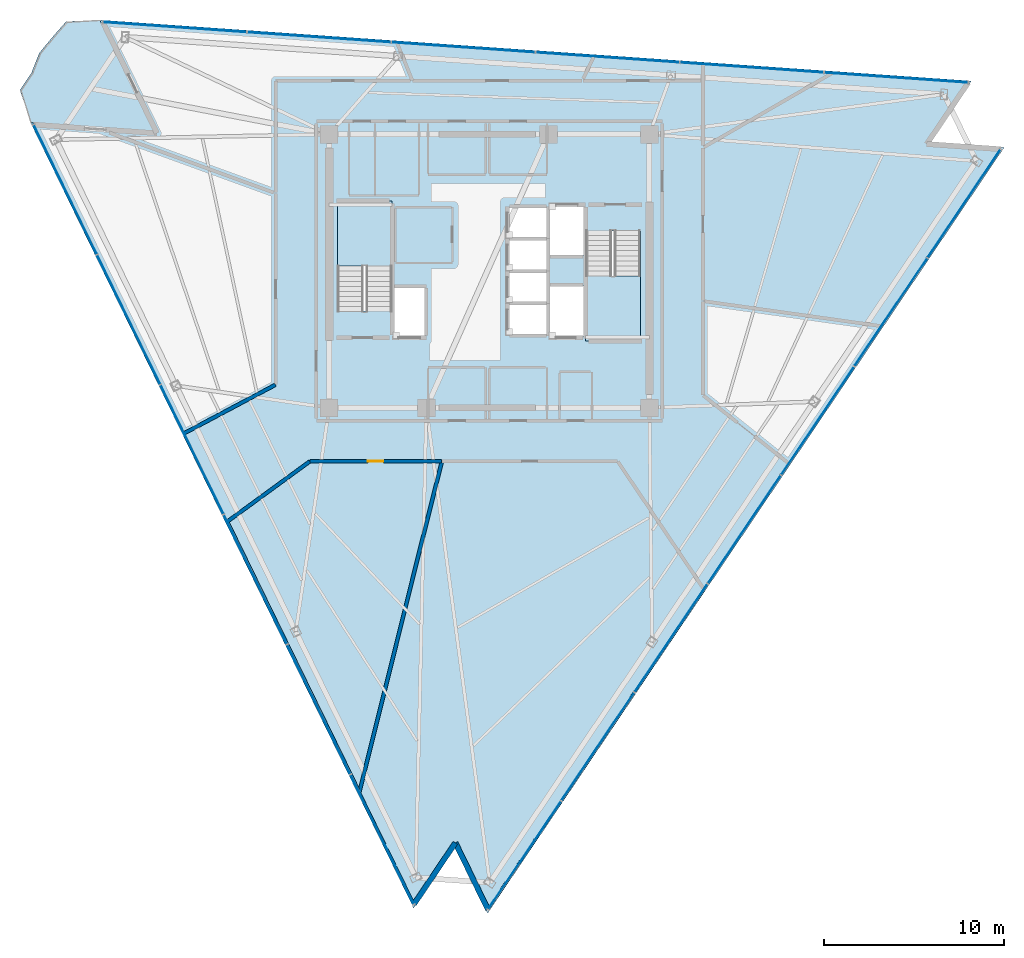
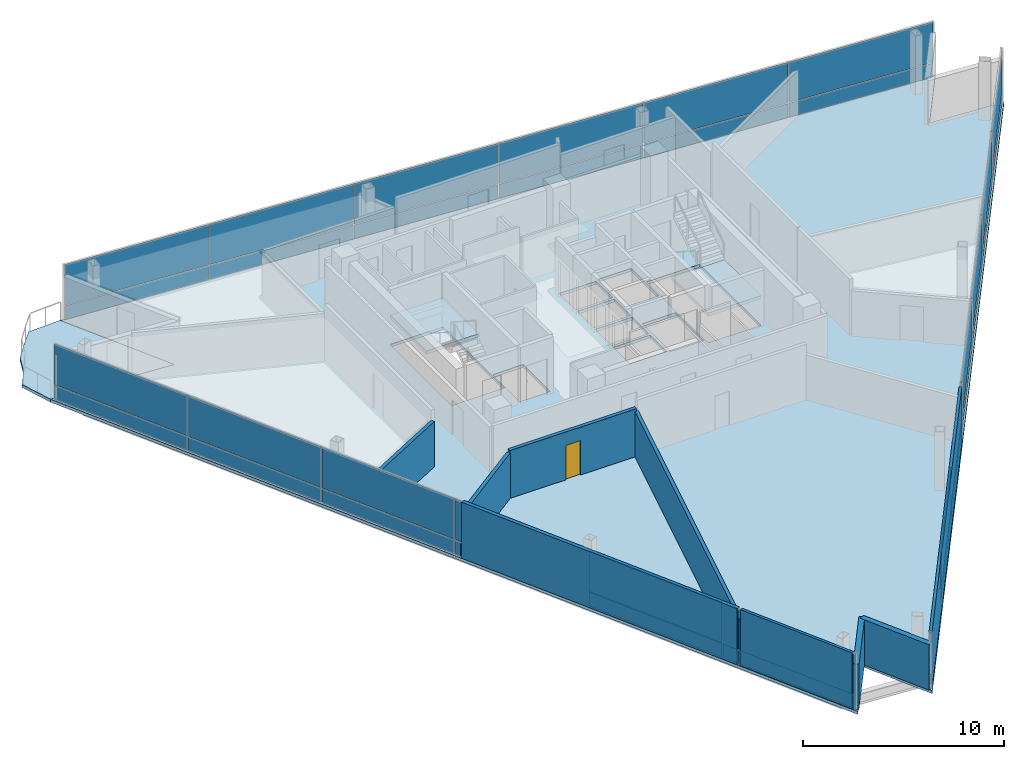
# One storey, part 8 of 13: 38 plates, 9 walls, 4 slabs, 1 door, 1 opening, 5 elements without a shape of their own.
"""IFC4 building model written with IfcOpenShell, lengths in metres."""

from ifc_helpers import new_model, si_unit, direction, frame, frame_2d, origin, origin_2d, place, context, subcontext, project, spatial, polyline, rectangle, outline, extrude, material, layer, layer_set, type_object, element, fill, aggregate, save


model = new_model("IFC4")

# Units and contexts
model_context = context("Model", 3, precision=1e-05, world=origin(), true_north=direction((0.0, 1.0)))
body_context = subcontext(model_context, "Body", "Model", "MODEL_VIEW")
ifc_project = project(units=[si_unit("LENGTHUNIT", "METRE"), si_unit("AREAUNIT", "SQUARE_METRE"), si_unit("VOLUMEUNIT", "CUBIC_METRE"), si_unit("PLANEANGLEUNIT", "RADIAN"), si_unit("MASSUNIT", "GRAM", prefix="KILO")], contexts=[model_context])

# Site, building, storey
site_placement = place(None, origin())
site = spatial("IfcSite", under=ifc_project, at=site_placement, CompositionType="ELEMENT")
building_placement = place(site_placement, origin())
building = spatial("IfcBuilding", under=site, at=building_placement, Name="Tharavind Bronze Gate", CompositionType="ELEMENT")
storey_placement = place(building_placement, frame((0.0, 0.0, 234.25)))
storey = spatial("IfcBuildingStorey", under=building, at=storey_placement, Name="L60", CompositionType="ELEMENT", Elevation=234.25)

# Curtain wall, plates
ifc_material_1 = material(Name="Anodised Bronze Aluminium", Category="aluminium")
ifc_layer_1 = layer(ifc_material_1, 0.219970703125)
ifc_layer_set_1 = layer_set([ifc_layer_1], Name="Anodised Bronze Aluminium")
curtain_wall_type = type_object("IfcCurtainWallType", Name="UNITISED CURTAIN WALL UPPER OFFICE", PredefinedType="USERDEFINED", material=ifc_layer_set_1)
curtain_wall_1_placement = place(storey_placement, origin())
curtain_wall_1 = element("IfcCurtainWall", 1, at=curtain_wall_1_placement, inside=storey, type_object=curtain_wall_type, Name="L60 unitised curtain wall upper office CW-L60-S1", ObjectType="UNITISED CURTAIN WALL", PredefinedType="USERDEFINED")
ifc_material_2 = material(Name="Patinated Bronze Alloy Sheet", Category="bronze")
ifc_layer_2 = layer(ifc_material_2, 0.01611328125)
ifc_layer_set_2 = layer_set([ifc_layer_2], Name="Patinated Bronze Alloy Sheet")
plate_type_1 = type_object("IfcPlateType", Name="BRONZE SPANDREL CLADDING PANEL 16", PredefinedType="CURTAIN_PANEL", material=ifc_layer_set_2)
plate_1_placement = place(storey_placement, frame((-23.5751953125, 4.5283203125, 0.0263671875), z_axis=(0.0, 0.0, 1.0), x_axis=(0.438371146789, -0.898794046299, 0.0)))
plate_1 = element("IfcPlate", 2, at=plate_1_placement, type_object=plate_type_1, Name="CW-L60-S1 bronze spandrel panel 1", PredefinedType="CURTAIN_PANEL", context=body_context, shape_type="SweptSolid", body=[
    extrude(rectangle(XDim=7.985107421875, YDim=0.01611328125, at=origin_2d()), origin(), (0.0, 0.0, 1.0), 0.846923828125),
])
plate_2_placement = place(storey_placement, frame((-20.051513671875, -2.696044921875, 0.0263671875), z_axis=(0.0, 0.0, 1.0), x_axis=(0.438371146789, -0.898794046299, 0.0)))
plate_2 = element("IfcPlate", 3, at=plate_2_placement, type_object=plate_type_1, Name="CW-L60-S1 bronze spandrel panel 2", PredefinedType="CURTAIN_PANEL", context=body_context, shape_type="SweptSolid", body=[
    extrude(rectangle(XDim=7.985107421875, YDim=0.01611328125, at=origin_2d()), origin(), (0.0, 0.0, 1.0), 0.846923828125),
])
plate_3_placement = place(storey_placement, frame((-16.528076171875, -9.920654296875, 0.0263671875), z_axis=(0.0, 0.0, 1.0), x_axis=(0.438371146789, -0.898794046299, 0.0)))
plate_3 = element("IfcPlate", 4, at=plate_3_placement, type_object=plate_type_1, Name="CW-L60-S1 bronze spandrel panel 3", PredefinedType="CURTAIN_PANEL", context=body_context, shape_type="SweptSolid", body=[
    extrude(rectangle(XDim=7.985107421875, YDim=0.01611328125, at=origin_2d()), origin(), (0.0, 0.0, 1.0), 0.846923828125),
])
plate_4_placement = place(storey_placement, frame((-13.00439453125, -17.145263671875, 0.0263671875), z_axis=(0.0, 0.0, 1.0), x_axis=(0.438371146789, -0.898794046299, 0.0)))
plate_4 = element("IfcPlate", 5, at=plate_4_placement, type_object=plate_type_1, Name="CW-L60-S1 bronze spandrel panel 4", PredefinedType="CURTAIN_PANEL", context=body_context, shape_type="SweptSolid", body=[
    extrude(rectangle(XDim=7.985107421875, YDim=0.01611328125, at=origin_2d()), origin(), (0.0, 0.0, 1.0), 0.846923828125),
])
plate_5_placement = place(storey_placement, frame((-9.480712890625, -24.36962890625, 0.0263671875), z_axis=(0.0, 0.0, 1.0), x_axis=(0.438371146789, -0.898794046299, 0.0)))
plate_5 = element("IfcPlate", 6, at=plate_5_placement, type_object=plate_type_1, Name="CW-L60-S1 bronze spandrel panel 5", PredefinedType="CURTAIN_PANEL", context=body_context, shape_type="SweptSolid", body=[
    extrude(rectangle(XDim=7.985107421875, YDim=0.01611328125, at=origin_2d()), origin(), (0.0, 0.0, 1.0), 0.846923828125),
])
plate_6_placement = place(storey_placement, frame((-5.95703125, -31.59423828125, 0.0263671875), z_axis=(0.0, 0.0, 1.0), x_axis=(0.438371146789, -0.898794046299, 0.0)))
plate_6 = element("IfcPlate", 7, at=plate_6_placement, type_object=plate_type_1, Name="CW-L60-S1 bronze spandrel panel 6", PredefinedType="CURTAIN_PANEL", context=body_context, shape_type="SweptSolid", body=[
    extrude(rectangle(XDim=7.985107421875, YDim=0.01611328125, at=origin_2d()), origin(), (0.0, 0.0, 1.0), 0.846923828125),
])

curtain_wall_2_placement = place(storey_placement, origin())
curtain_wall_2 = element("IfcCurtainWall", 8, at=curtain_wall_2_placement, inside=storey, type_object=curtain_wall_type, Name="L60 unitised curtain wall upper office CW-L60-S2", ObjectType="UNITISED CURTAIN WALL", PredefinedType="USERDEFINED")
plate_7_placement = place(storey_placement, frame((1.958984375, -32.4755859375, 0.0263671875), z_axis=(0.0, 0.0, 1.0), x_axis=(0.559192903471, 0.829037572555, 0.0)))
plate_7 = element("IfcPlate", 9, at=plate_7_placement, type_object=plate_type_1, Name="CW-L60-S2 bronze spandrel panel 1", PredefinedType="CURTAIN_PANEL", context=body_context, shape_type="SweptSolid", body=[
    extrude(rectangle(XDim=7.22998046875, YDim=0.01611328125, at=origin_2d()), origin(), (0.0, 0.0, 1.0), 0.846923828125),
])
plate_8_placement = place(storey_placement, frame((6.031494140625, -26.437744140625, 0.0263671875), z_axis=(0.0, 0.0, 1.0), x_axis=(0.559192903471, 0.829037572555, 0.0)))
plate_8 = element("IfcPlate", 10, at=plate_8_placement, type_object=plate_type_1, Name="CW-L60-S2 bronze spandrel panel 2", PredefinedType="CURTAIN_PANEL", context=body_context, shape_type="SweptSolid", body=[
    extrude(rectangle(XDim=7.22998046875, YDim=0.01611328125, at=origin_2d()), origin(), (0.0, 0.0, 1.0), 0.846923828125),
])
plate_9_placement = place(storey_placement, frame((10.10400390625, -20.39990234375, 0.0263671875), z_axis=(0.0, 0.0, 1.0), x_axis=(0.559192903471, 0.829037572555, 0.0)))
plate_9 = element("IfcPlate", 11, at=plate_9_placement, type_object=plate_type_1, Name="CW-L60-S2 bronze spandrel panel 3", PredefinedType="CURTAIN_PANEL", context=body_context, shape_type="SweptSolid", body=[
    extrude(rectangle(XDim=7.22998046875, YDim=0.01611328125, at=origin_2d()), origin(), (0.0, 0.0, 1.0), 0.846923828125),
])
plate_10_placement = place(storey_placement, frame((14.176513671875, -14.3623046875, 0.0263671875), z_axis=(0.0, 0.0, 1.0), x_axis=(0.559192903471, 0.829037572555, 0.0)))
plate_10 = element("IfcPlate", 12, at=plate_10_placement, type_object=plate_type_1, Name="CW-L60-S2 bronze spandrel panel 4", PredefinedType="CURTAIN_PANEL", context=body_context, shape_type="SweptSolid", body=[
    extrude(rectangle(XDim=7.22998046875, YDim=0.01611328125, at=origin_2d()), origin(), (0.0, 0.0, 1.0), 0.846923828125),
])
plate_11_placement = place(storey_placement, frame((18.2490234375, -8.324462890625, 0.0263671875), z_axis=(0.0, 0.0, 1.0), x_axis=(0.559192903471, 0.829037572555, 0.0)))
plate_11 = element("IfcPlate", 13, at=plate_11_placement, type_object=plate_type_1, Name="CW-L60-S2 bronze spandrel panel 5", PredefinedType="CURTAIN_PANEL", context=body_context, shape_type="SweptSolid", body=[
    extrude(rectangle(XDim=7.22998046875, YDim=0.01611328125, at=origin_2d()), origin(), (0.0, 0.0, 1.0), 0.846923828125),
])
plate_12_placement = place(storey_placement, frame((22.321533203125, -2.28662109375, 0.0263671875), z_axis=(0.0, 0.0, 1.0), x_axis=(0.559192903471, 0.829037572555, 0.0)))
plate_12 = element("IfcPlate", 14, at=plate_12_placement, type_object=plate_type_1, Name="CW-L60-S2 bronze spandrel panel 6", PredefinedType="CURTAIN_PANEL", context=body_context, shape_type="SweptSolid", body=[
    extrude(rectangle(XDim=7.22998046875, YDim=0.01611328125, at=origin_2d()), origin(), (0.0, 0.0, 1.0), 0.846923828125),
])
plate_13_placement = place(storey_placement, frame((26.39404296875, 3.751220703125, 0.0263671875), z_axis=(0.0, 0.0, 1.0), x_axis=(0.559192903471, 0.829037572555, 0.0)))
plate_13 = element("IfcPlate", 15, at=plate_13_placement, type_object=plate_type_1, Name="CW-L60-S2 bronze spandrel panel 7", PredefinedType="CURTAIN_PANEL", context=body_context, shape_type="SweptSolid", body=[
    extrude(rectangle(XDim=7.22998046875, YDim=0.01611328125, at=origin_2d()), origin(), (0.0, 0.0, 1.0), 0.846923828125),
])

curtain_wall_3_placement = place(storey_placement, origin())
curtain_wall_3 = element("IfcCurtainWall", 16, at=curtain_wall_3_placement, inside=storey, type_object=curtain_wall_type, Name="L60 unitised curtain wall upper office CW-L60-S3", ObjectType="UNITISED CURTAIN WALL", PredefinedType="USERDEFINED")
plate_14_placement = place(storey_placement, frame((22.611572265625, 10.760498046875, 0.0263671875), z_axis=(0.0, 0.0, 1.0), x_axis=(-0.99756392851, 0.069758214822, 0.0)))
plate_14 = element("IfcPlate", 17, at=plate_14_placement, type_object=plate_type_1, Name="CW-L60-S3 bronze spandrel panel 1", PredefinedType="CURTAIN_PANEL", context=body_context, shape_type="SweptSolid", body=[
    extrude(rectangle(XDim=7.985107421875, YDim=0.01611328125, at=origin_2d()), origin(), (0.0, 0.0, 1.0), 0.846923828125),
])
plate_15_placement = place(storey_placement, frame((14.593017578125, 11.3212890625, 0.0263671875), z_axis=(0.0, 0.0, 1.0), x_axis=(-0.99756392851, 0.069758214822, 0.0)))
plate_15 = element("IfcPlate", 18, at=plate_15_placement, type_object=plate_type_1, Name="CW-L60-S3 bronze spandrel panel 2", PredefinedType="CURTAIN_PANEL", context=body_context, shape_type="SweptSolid", body=[
    extrude(rectangle(XDim=7.985107421875, YDim=0.01611328125, at=origin_2d()), origin(), (0.0, 0.0, 1.0), 0.846923828125),
])
plate_16_placement = place(storey_placement, frame((6.57470703125, 11.882080078125, 0.0263671875), z_axis=(0.0, 0.0, 1.0), x_axis=(-0.99756392851, 0.069758214822, 0.0)))
plate_16 = element("IfcPlate", 19, at=plate_16_placement, type_object=plate_type_1, Name="CW-L60-S3 bronze spandrel panel 3", PredefinedType="CURTAIN_PANEL", context=body_context, shape_type="SweptSolid", body=[
    extrude(rectangle(XDim=7.985107421875, YDim=0.01611328125, at=origin_2d()), origin(), (0.0, 0.0, 1.0), 0.846923828125),
])
plate_17_placement = place(storey_placement, frame((-1.44384765625, 12.442626953125, 0.0263671875), z_axis=(0.0, 0.0, 1.0), x_axis=(-0.99756392851, 0.069758214822, 0.0)))
plate_17 = element("IfcPlate", 20, at=plate_17_placement, type_object=plate_type_1, Name="CW-L60-S3 bronze spandrel panel 4", PredefinedType="CURTAIN_PANEL", context=body_context, shape_type="SweptSolid", body=[
    extrude(rectangle(XDim=7.985107421875, YDim=0.01611328125, at=origin_2d()), origin(), (0.0, 0.0, 1.0), 0.846923828125),
])
plate_18_placement = place(storey_placement, frame((-9.462158203125, 13.00341796875, 0.0263671875), z_axis=(0.0, 0.0, 1.0), x_axis=(-0.99756392851, 0.069758214822, 0.0)))
plate_18 = element("IfcPlate", 21, at=plate_18_placement, type_object=plate_type_1, Name="CW-L60-S3 bronze spandrel panel 5", PredefinedType="CURTAIN_PANEL", context=body_context, shape_type="SweptSolid", body=[
    extrude(rectangle(XDim=7.985107421875, YDim=0.01611328125, at=origin_2d()), origin(), (0.0, 0.0, 1.0), 0.846923828125),
])
plate_19_placement = place(storey_placement, frame((-17.480712890625, 13.564208984375, 0.0263671875), z_axis=(0.0, 0.0, 1.0), x_axis=(-0.99756392851, 0.069758214822, 0.0)))
plate_19 = element("IfcPlate", 22, at=plate_19_placement, type_object=plate_type_1, Name="CW-L60-S3 bronze spandrel panel 6", PredefinedType="CURTAIN_PANEL", context=body_context, shape_type="SweptSolid", body=[
    extrude(rectangle(XDim=7.985107421875, YDim=0.01611328125, at=origin_2d()), origin(), (0.0, 0.0, 1.0), 0.846923828125),
])

# Slab
ifc_material_3 = material(Name="Concrete C40/50", Category="concrete")
ifc_layer_3 = layer(ifc_material_3, 0.179931640625)
ifc_layer_set_3 = layer_set([ifc_layer_3], Name="Concrete C40/50")
slab_type_1 = type_object("IfcSlabType", Name="EXTERIOR BALCONY SLAB 180", PredefinedType="FLOOR", material=ifc_layer_set_3)
slab_1_placement = place(storey_placement, frame((0.0, 0.0, -0.179931640625)))
element("IfcSlab", 23, at=slab_1_placement, inside=storey, type_object=slab_type_1, Name="L60 northeast tree balcony slab", PredefinedType="FLOOR", context=body_context, shape_type="SweptSolid", body=[
    extrude(outline(polyline([(-23.523193359375, 13.869873046875), (-24.287109375, 13.001953125), (-25.021484375, 12.114013671875), (-25.447021484375, 11.01806640625), (-26.088134765625, 10.0673828125), (-25.5029296875, 8.25244140625), (-18.6396484375, 7.772705078125), (-21.65576171875, 13.956298828125), (-23.523193359375, 13.869873046875)])), origin(), (0.0, 0.0, 1.0), 0.179931640625),
])

# Stair, slab
stair_type = type_object("IfcStairType", Name="CORE HALF TURN STAIR 1450", PredefinedType="HALF_TURN_STAIR", material=ifc_material_3)
stair_1_placement = place(storey_placement, origin())
stair_1 = element("IfcStair", 24, at=stair_1_placement, inside=storey, type_object=stair_type, Name="L60 Protected Exit Stair ST1", PredefinedType="HALF_TURN_STAIR")
ifc_layer_4 = layer(ifc_material_3, 0.199951171875)
ifc_layer_set_4 = layer_set([ifc_layer_4], Name="Concrete C40/50")
slab_type_2 = type_object("IfcSlabType", Name="STAIR LANDING SLAB 200", PredefinedType="LANDING", material=ifc_layer_set_4)
slab_2_placement = place(storey_placement, frame((0.0, 0.0, 1.60009765625)))
slab_2 = element("IfcSlab", 25, at=slab_2_placement, type_object=slab_type_2, Name="ST1 landing 1", PredefinedType="LANDING", context=body_context, shape_type="SweptSolid", body=[
    extrude(outline(polyline([(-5.39990234375, 0.27001953125), (-5.39990234375, 3.89990234375), (-8.449951171875, 3.89990234375), (-8.449951171875, 0.27001953125), (-5.39990234375, 0.27001953125)])), origin(), (0.0, 0.0, 1.0), 0.199951171875),
])
aggregate(stair_1, [slab_2])

stair_2_placement = place(storey_placement, origin())
stair_2 = element("IfcStair", 26, at=stair_2_placement, inside=storey, type_object=stair_type, Name="L60 Protected Exit Stair ST2", PredefinedType="HALF_TURN_STAIR")
slab_3_placement = place(storey_placement, frame((0.0, 0.0, 1.60009765625)))
slab_3 = element("IfcSlab", 27, at=slab_3_placement, type_object=slab_type_2, Name="ST2 landing 1", PredefinedType="LANDING", context=body_context, shape_type="SweptSolid", body=[
    extrude(outline(polyline([(5.35009765625, -0.27001953125), (5.35009765625, -3.89990234375), (8.39990234375, -3.89990234375), (8.39990234375, -0.27001953125), (5.35009765625, -0.27001953125)])), origin(), (0.0, 0.0, 1.0), 0.199951171875),
])
aggregate(stair_2, [slab_3])

# Slab
ifc_layer_5 = layer(ifc_material_3, 0.179931640625)
ifc_layer_set_5 = layer_set([ifc_layer_5], Name="Concrete C40/50")
slab_type_3 = type_object("IfcSlabType", Name="STRUCTURAL FLOOR SLAB 180", PredefinedType="FLOOR", material=ifc_layer_set_5)
slab_4_placement = place(storey_placement, frame((0.0, 0.0, -0.179931640625)))
element("IfcSlab", 28, at=slab_4_placement, inside=storey, type_object=slab_type_3, Name="L60 main structural floor slab", PredefinedType="FLOOR", context=body_context, shape_type="SweptSolid", body=[
    extrude(outline(polyline([(-21.65576171875, 13.956298828125), (-18.6396484375, 7.772705078125), (-25.5029296875, 8.25244140625), (-4.209228515625, -35.406005859375), (-1.90087890625, -31.983642578125), (-0.09130859375, -35.69384765625), (28.610107421875, 6.857666015625), (24.4921875, 7.145751953125), (26.800537109375, 10.56787109375), (-21.65576171875, 13.956298828125)]), holes=[polyline([(-5.39990234375, -2.215087890625), (-5.39990234375, 3.89990234375), (-8.449951171875, 3.89990234375), (-8.449951171875, -2.215087890625), (-5.39990234375, -2.215087890625)]), polyline([(5.35009765625, 2.215087890625), (5.35009765625, -3.89990234375), (8.39990234375, -3.89990234375), (8.39990234375, 2.215087890625), (5.35009765625, 2.215087890625)]), polyline([(1.080078125, -3.52001953125), (3.199951171875, -3.52001953125), (3.199951171875, -1.8798828125), (1.080078125, -1.8798828125), (1.080078125, -3.52001953125)]), polyline([(1.080078125, -1.719970703125), (3.199951171875, -1.719970703125), (3.199951171875, -0.080078125), (1.080078125, -0.080078125), (1.080078125, -1.719970703125)]), polyline([(1.080078125, 0.080078125), (3.199951171875, 0.080078125), (3.199951171875, 1.719970703125), (1.080078125, 1.719970703125), (1.080078125, 0.080078125)]), polyline([(1.080078125, 1.8798828125), (3.199951171875, 1.8798828125), (3.199951171875, 3.52001953125), (1.080078125, 3.52001953125), (1.080078125, 1.8798828125)]), polyline([(-5.320068359375, -3.6201171875), (-3.580078125, -3.6201171875), (-3.580078125, -0.929931640625), (-5.320068359375, -0.929931640625), (-5.320068359375, -3.6201171875)]), polyline([(3.360107421875, 0.8798828125), (5.27001953125, 0.8798828125), (5.27001953125, 3.6201171875), (3.360107421875, 3.6201171875), (3.360107421875, 0.8798828125)]), polyline([(3.360107421875, -3.6201171875), (5.27001953125, -3.6201171875), (5.27001953125, -0.830078125), (3.360107421875, -0.830078125), (3.360107421875, -3.6201171875)])]), origin(), (0.0, 0.0, 1.0), 0.179931640625),
])

# Plate
ifc_material_4 = material(Name="Triple Solar Control Glazing", Category="glass")
ifc_layer_6 = layer(ifc_material_4, 0.0439453125)
ifc_layer_set_6 = layer_set([ifc_layer_6], Name="Triple Solar Control Glazing")
plate_type_2 = type_object("IfcPlateType", Name="TRIPLE GLAZED FACADE PANEL 44", PredefinedType="CURTAIN_PANEL", material=ifc_layer_set_6)
plate_20_placement = place(storey_placement, frame((-23.5751953125, 4.5283203125, 0.92626953125), z_axis=(0.0, 0.0, 1.0), x_axis=(0.438371146789, -0.898794046299, 0.0)))
plate_20 = element("IfcPlate", 29, at=plate_20_placement, type_object=plate_type_2, Name="CW-L60-S1 vision glazing panel 1", PredefinedType="CURTAIN_PANEL", context=body_context, shape_type="SweptSolid", body=[
    extrude(rectangle(XDim=7.985107421875, YDim=0.0439453125, at=origin_2d()), origin(), (0.0, 0.0, 1.0), 2.467041015625),
])

plate_21_placement = place(storey_placement, frame((-20.051513671875, -2.696044921875, 0.92626953125), z_axis=(0.0, 0.0, 1.0), x_axis=(0.438371146789, -0.898794046299, 0.0)))
plate_21 = element("IfcPlate", 30, at=plate_21_placement, type_object=plate_type_2, Name="CW-L60-S1 vision glazing panel 2", PredefinedType="CURTAIN_PANEL", context=body_context, shape_type="SweptSolid", body=[
    extrude(rectangle(XDim=7.985107421875, YDim=0.0439453125, at=origin_2d()), origin(), (0.0, 0.0, 1.0), 2.467041015625),
])

plate_22_placement = place(storey_placement, frame((-16.528076171875, -9.920654296875, 0.92626953125), z_axis=(0.0, 0.0, 1.0), x_axis=(0.438371146789, -0.898794046299, 0.0)))
plate_22 = element("IfcPlate", 31, at=plate_22_placement, type_object=plate_type_2, Name="CW-L60-S1 vision glazing panel 3", PredefinedType="CURTAIN_PANEL", context=body_context, shape_type="SweptSolid", body=[
    extrude(rectangle(XDim=7.985107421875, YDim=0.0439453125, at=origin_2d()), origin(), (0.0, 0.0, 1.0), 2.467041015625),
])

plate_23_placement = place(storey_placement, frame((-13.00439453125, -17.145263671875, 0.92626953125), z_axis=(0.0, 0.0, 1.0), x_axis=(0.438371146789, -0.898794046299, 0.0)))
plate_23 = element("IfcPlate", 32, at=plate_23_placement, type_object=plate_type_2, Name="CW-L60-S1 vision glazing panel 4", PredefinedType="CURTAIN_PANEL", context=body_context, shape_type="SweptSolid", body=[
    extrude(rectangle(XDim=7.985107421875, YDim=0.0439453125, at=origin_2d()), origin(), (0.0, 0.0, 1.0), 2.467041015625),
])

plate_24_placement = place(storey_placement, frame((-9.480712890625, -24.36962890625, 0.92626953125), z_axis=(0.0, 0.0, 1.0), x_axis=(0.438371146789, -0.898794046299, 0.0)))
plate_24 = element("IfcPlate", 33, at=plate_24_placement, type_object=plate_type_2, Name="CW-L60-S1 vision glazing panel 5", PredefinedType="CURTAIN_PANEL", context=body_context, shape_type="SweptSolid", body=[
    extrude(rectangle(XDim=7.985107421875, YDim=0.0439453125, at=origin_2d()), origin(), (0.0, 0.0, 1.0), 2.467041015625),
])

plate_25_placement = place(storey_placement, frame((-5.95703125, -31.59423828125, 0.92626953125), z_axis=(0.0, 0.0, 1.0), x_axis=(0.438371146789, -0.898794046299, 0.0)))
plate_25 = element("IfcPlate", 34, at=plate_25_placement, type_object=plate_type_2, Name="CW-L60-S1 vision glazing panel 6", PredefinedType="CURTAIN_PANEL", context=body_context, shape_type="SweptSolid", body=[
    extrude(rectangle(XDim=7.985107421875, YDim=0.0439453125, at=origin_2d()), origin(), (0.0, 0.0, 1.0), 2.467041015625),
])

aggregate(curtain_wall_1, [plate_1, plate_20, plate_2, plate_21, plate_3, plate_22, plate_4, plate_23, plate_5, plate_24, plate_6, plate_25])

plate_26_placement = place(storey_placement, frame((1.958984375, -32.4755859375, 0.92626953125), z_axis=(0.0, 0.0, 1.0), x_axis=(0.559192903471, 0.829037572555, 0.0)))
plate_26 = element("IfcPlate", 35, at=plate_26_placement, type_object=plate_type_2, Name="CW-L60-S2 vision glazing panel 1", PredefinedType="CURTAIN_PANEL", context=body_context, shape_type="SweptSolid", body=[
    extrude(rectangle(XDim=7.22998046875, YDim=0.0439453125, at=origin_2d()), origin(), (0.0, 0.0, 1.0), 2.467041015625),
])

plate_27_placement = place(storey_placement, frame((6.031494140625, -26.437744140625, 0.92626953125), z_axis=(0.0, 0.0, 1.0), x_axis=(0.559192903471, 0.829037572555, 0.0)))
plate_27 = element("IfcPlate", 36, at=plate_27_placement, type_object=plate_type_2, Name="CW-L60-S2 vision glazing panel 2", PredefinedType="CURTAIN_PANEL", context=body_context, shape_type="SweptSolid", body=[
    extrude(rectangle(XDim=7.22998046875, YDim=0.0439453125, at=origin_2d()), origin(), (0.0, 0.0, 1.0), 2.467041015625),
])

plate_28_placement = place(storey_placement, frame((10.10400390625, -20.39990234375, 0.92626953125), z_axis=(0.0, 0.0, 1.0), x_axis=(0.559192903471, 0.829037572555, 0.0)))
plate_28 = element("IfcPlate", 37, at=plate_28_placement, type_object=plate_type_2, Name="CW-L60-S2 vision glazing panel 3", PredefinedType="CURTAIN_PANEL", context=body_context, shape_type="SweptSolid", body=[
    extrude(rectangle(XDim=7.22998046875, YDim=0.0439453125, at=origin_2d()), origin(), (0.0, 0.0, 1.0), 2.467041015625),
])

plate_29_placement = place(storey_placement, frame((14.176513671875, -14.3623046875, 0.92626953125), z_axis=(0.0, 0.0, 1.0), x_axis=(0.559192903471, 0.829037572555, 0.0)))
plate_29 = element("IfcPlate", 38, at=plate_29_placement, type_object=plate_type_2, Name="CW-L60-S2 vision glazing panel 4", PredefinedType="CURTAIN_PANEL", context=body_context, shape_type="SweptSolid", body=[
    extrude(rectangle(XDim=7.22998046875, YDim=0.0439453125, at=origin_2d()), origin(), (0.0, 0.0, 1.0), 2.467041015625),
])

plate_30_placement = place(storey_placement, frame((18.2490234375, -8.324462890625, 0.92626953125), z_axis=(0.0, 0.0, 1.0), x_axis=(0.559192903471, 0.829037572555, 0.0)))
plate_30 = element("IfcPlate", 39, at=plate_30_placement, type_object=plate_type_2, Name="CW-L60-S2 vision glazing panel 5", PredefinedType="CURTAIN_PANEL", context=body_context, shape_type="SweptSolid", body=[
    extrude(rectangle(XDim=7.22998046875, YDim=0.0439453125, at=origin_2d()), origin(), (0.0, 0.0, 1.0), 2.467041015625),
])

plate_31_placement = place(storey_placement, frame((22.321533203125, -2.28662109375, 0.92626953125), z_axis=(0.0, 0.0, 1.0), x_axis=(0.559192903471, 0.829037572555, 0.0)))
plate_31 = element("IfcPlate", 40, at=plate_31_placement, type_object=plate_type_2, Name="CW-L60-S2 vision glazing panel 6", PredefinedType="CURTAIN_PANEL", context=body_context, shape_type="SweptSolid", body=[
    extrude(rectangle(XDim=7.22998046875, YDim=0.0439453125, at=origin_2d()), origin(), (0.0, 0.0, 1.0), 2.467041015625),
])

plate_32_placement = place(storey_placement, frame((26.39404296875, 3.751220703125, 0.92626953125), z_axis=(0.0, 0.0, 1.0), x_axis=(0.559192903471, 0.829037572555, 0.0)))
plate_32 = element("IfcPlate", 41, at=plate_32_placement, type_object=plate_type_2, Name="CW-L60-S2 vision glazing panel 7", PredefinedType="CURTAIN_PANEL", context=body_context, shape_type="SweptSolid", body=[
    extrude(rectangle(XDim=7.22998046875, YDim=0.0439453125, at=origin_2d()), origin(), (0.0, 0.0, 1.0), 2.467041015625),
])

aggregate(curtain_wall_2, [plate_7, plate_26, plate_8, plate_27, plate_9, plate_28, plate_10, plate_29, plate_11, plate_30, plate_12, plate_31, plate_13, plate_32])

plate_33_placement = place(storey_placement, frame((22.611572265625, 10.760498046875, 0.92626953125), z_axis=(0.0, 0.0, 1.0), x_axis=(-0.99756392851, 0.069758214822, 0.0)))
plate_33 = element("IfcPlate", 42, at=plate_33_placement, type_object=plate_type_2, Name="CW-L60-S3 vision glazing panel 1", PredefinedType="CURTAIN_PANEL", context=body_context, shape_type="SweptSolid", body=[
    extrude(rectangle(XDim=7.985107421875, YDim=0.0439453125, at=origin_2d()), origin(), (0.0, 0.0, 1.0), 2.467041015625),
])

plate_34_placement = place(storey_placement, frame((14.593017578125, 11.3212890625, 0.92626953125), z_axis=(0.0, 0.0, 1.0), x_axis=(-0.99756392851, 0.069758214822, 0.0)))
plate_34 = element("IfcPlate", 43, at=plate_34_placement, type_object=plate_type_2, Name="CW-L60-S3 vision glazing panel 2", PredefinedType="CURTAIN_PANEL", context=body_context, shape_type="SweptSolid", body=[
    extrude(rectangle(XDim=7.985107421875, YDim=0.0439453125, at=origin_2d()), origin(), (0.0, 0.0, 1.0), 2.467041015625),
])

plate_35_placement = place(storey_placement, frame((6.57470703125, 11.882080078125, 0.92626953125), z_axis=(0.0, 0.0, 1.0), x_axis=(-0.99756392851, 0.069758214822, 0.0)))
plate_35 = element("IfcPlate", 44, at=plate_35_placement, type_object=plate_type_2, Name="CW-L60-S3 vision glazing panel 3", PredefinedType="CURTAIN_PANEL", context=body_context, shape_type="SweptSolid", body=[
    extrude(rectangle(XDim=7.985107421875, YDim=0.0439453125, at=origin_2d()), origin(), (0.0, 0.0, 1.0), 2.467041015625),
])

plate_36_placement = place(storey_placement, frame((-1.44384765625, 12.442626953125, 0.92626953125), z_axis=(0.0, 0.0, 1.0), x_axis=(-0.99756392851, 0.069758214822, 0.0)))
plate_36 = element("IfcPlate", 45, at=plate_36_placement, type_object=plate_type_2, Name="CW-L60-S3 vision glazing panel 4", PredefinedType="CURTAIN_PANEL", context=body_context, shape_type="SweptSolid", body=[
    extrude(rectangle(XDim=7.985107421875, YDim=0.0439453125, at=origin_2d()), origin(), (0.0, 0.0, 1.0), 2.467041015625),
])

plate_37_placement = place(storey_placement, frame((-9.462158203125, 13.00341796875, 0.92626953125), z_axis=(0.0, 0.0, 1.0), x_axis=(-0.99756392851, 0.069758214822, 0.0)))
plate_37 = element("IfcPlate", 46, at=plate_37_placement, type_object=plate_type_2, Name="CW-L60-S3 vision glazing panel 5", PredefinedType="CURTAIN_PANEL", context=body_context, shape_type="SweptSolid", body=[
    extrude(rectangle(XDim=7.985107421875, YDim=0.0439453125, at=origin_2d()), origin(), (0.0, 0.0, 1.0), 2.467041015625),
])

plate_38_placement = place(storey_placement, frame((-17.480712890625, 13.564208984375, 0.92626953125), z_axis=(0.0, 0.0, 1.0), x_axis=(-0.99756392851, 0.069758214822, 0.0)))
plate_38 = element("IfcPlate", 47, at=plate_38_placement, type_object=plate_type_2, Name="CW-L60-S3 vision glazing panel 6", PredefinedType="CURTAIN_PANEL", context=body_context, shape_type="SweptSolid", body=[
    extrude(rectangle(XDim=7.985107421875, YDim=0.0439453125, at=origin_2d()), origin(), (0.0, 0.0, 1.0), 2.467041015625),
])

aggregate(curtain_wall_3, [plate_14, plate_33, plate_15, plate_34, plate_16, plate_35, plate_17, plate_36, plate_18, plate_37, plate_19, plate_38])

# Walls
ifc_layer_7 = layer(ifc_material_3, 0.300048828125)
ifc_layer_set_7 = layer_set([ifc_layer_7], Name="Concrete C40/50")
wall_type_1 = type_object("IfcWallType", Name="EXTERIOR SPANDREL WALL 300", PredefinedType="STANDARD", material=ifc_layer_set_7)
wall_1_placement = place(storey_placement, frame((-4.1953125, -35.20654296875, 0.0), z_axis=(0.0, 0.0, 1.0), x_axis=(0.559182319101, 0.829044711704, 0.0)))
element("IfcWall", 48, at=wall_1_placement, inside=storey, type_object=wall_type_1, Name="L60 notch cheek wall 2A", PredefinedType="STANDARD", context=body_context, shape_type="SweptSolid", body=[
    extrude(rectangle(XDim=4.128173828125, YDim=0.300048828125, at=frame_2d((2.06396484375, 0.0))), origin(), (0.0, 0.0, 1.0), 2.764892578125),
])
wall_2_placement = place(storey_placement, frame((-1.886962890625, -31.7841796875, 0.0), z_axis=(0.0, 0.0, 1.0), x_axis=(0.438367699713, -0.898795727542, 0.0)))
element("IfcWall", 49, at=wall_2_placement, inside=storey, type_object=wall_type_1, Name="L60 notch cheek wall 2B", PredefinedType="STANDARD", context=body_context, shape_type="SweptSolid", body=[
    extrude(rectangle(XDim=4.1279296875, YDim=0.300048828125, at=frame_2d((2.06396484375, 0.0))), origin(), (0.0, 0.0, 1.0), 2.764892578125),
])
ifc_material_5 = material(Name="Aerated Concrete Block", Category="concrete")
ifc_layer_8 = layer(ifc_material_5, 0.199951171875)
ifc_layer_set_8 = layer_set([ifc_layer_8], Name="Aerated Concrete Block")
wall_type_2 = type_object("IfcWallType", Name="FIRE RATED PARTITION 200", PredefinedType="PARTITIONING", material=ifc_layer_set_8)
wall_3_placement = place(storey_placement, frame((-14.57177734375, -13.931396484375, 0.0), z_axis=(0.0, 0.0, 1.0), x_axis=(0.807835213642, 0.589408404759, 0.0)))
element("IfcWall", 50, at=wall_3_placement, inside=storey, type_object=wall_type_2, Name="L60 Public Restrooms Block partition", PredefinedType="PARTITIONING", context=body_context, shape_type="SweptSolid", body=[
    extrude(rectangle(XDim=5.677978515625, YDim=0.199951171875, at=frame_2d((2.8388671875, 0.0))), origin(), (0.0, 0.0, 1.0), 2.764892578125),
])

# Wall, opening, door
wall_4_placement = place(storey_placement, frame((-9.969970703125, -10.580078125, 0.0), z_axis=(0.0, 0.0, 1.0), x_axis=(1.0, 0.0, 0.0)))
wall_4 = element("IfcWall", 51, at=wall_4_placement, inside=storey, type_object=wall_type_2, Name="L60 Public Restrooms Block partition", PredefinedType="PARTITIONING", context=body_context, shape_type="SweptSolid", body=[
    extrude(rectangle(XDim=7.300048828125, YDim=0.199951171875, at=frame_2d((3.64990234375, 0.0))), origin(), (0.0, 0.0, 1.0), 2.9150390625),
])
opening_placement = place(wall_4_placement, frame((3.22509765625, 0.0, 0.0)))
opening = element("IfcOpeningElement", 52, at=opening_placement, cuts=wall_4, Name="Opening ID06", PredefinedType="OPENING", context=body_context, shape_type="SweptSolid", body=[
    extrude(rectangle(XDim=0.85009765625, YDim=2.10009765625, at=frame_2d((0.425048828125, 1.050048828125))), frame((0.0, 0.11009765625, 0.0), z_axis=(0.0, -1.0, 0.0), x_axis=(1.0, 0.0, 0.0)), (0.0, 0.0, 1.0), 0.219951171875),
])
ifc_material_6 = material(Name="Moisture-Resistant Timber", Category="wood")
door_type = type_object("IfcDoorType", Name="BATHROOM PRIVACY DOOR 850X2100", OperationType="SINGLE_SWING_RIGHT", PredefinedType="DOOR", material=ifc_material_6)
door_placement = place(opening_placement, origin())
door = element("IfcDoor", 53, at=door_placement, inside=storey, type_object=door_type, Name="L60 Public Restrooms Block door", OperationType="SINGLE_SWING_RIGHT", OverallHeight=2.10009765625, OverallWidth=0.85009765625, PredefinedType="DOOR", context=body_context, shape_type="SweptSolid", body=[
    extrude(rectangle(XDim=0.85009765625, YDim=2.10009765625, at=frame_2d((0.425048828125, 1.050048828125))), frame((0.0, 0.02490234375, 0.0), z_axis=(0.0, -1.0, 0.0), x_axis=(1.0, 0.0, 0.0)), (0.0, 0.0, 1.0), 0.050048828125),
])
fill(opening, door)

# Walls
wall_5_placement = place(storey_placement, frame((-2.6455078125, -10.611083984375, 0.0), z_axis=(0.0, 0.0, 1.0), x_axis=(-0.241928997948, -0.970293955434, 0.0)))
element("IfcWall", 54, at=wall_5_placement, inside=storey, type_object=wall_type_2, Name="L60 Public Restrooms Block partition", PredefinedType="PARTITIONING", context=body_context, shape_type="SweptSolid", body=[
    extrude(rectangle(XDim=18.940673828125, YDim=0.199951171875, at=frame_2d((9.47021484375, 0.0))), origin(), (0.0, 0.0, 1.0), 2.764892578125),
])
wall_6_placement = place(storey_placement, frame((-7.29931640625, -28.84228515625, 0.0), z_axis=(0.0, 0.0, 1.0), x_axis=(-0.438372851919, 0.89879321465, 0.0)))
element("IfcWall", 55, at=wall_6_placement, inside=storey, type_object=wall_type_2, Name="L60 Public Restrooms Block partition", PredefinedType="PARTITIONING", context=body_context, shape_type="SweptSolid", body=[
    extrude(rectangle(XDim=16.576904296875, YDim=0.199951171875, at=frame_2d((8.28857421875, 0.0))), origin(), (0.0, 0.0, 1.0), 3.419921875),
])
wall_7_placement = place(storey_placement, frame((-11.893310546875, -6.32373046875, 0.0), z_axis=(0.0, 0.0, 1.0), x_axis=(-0.882938269224, -0.469489097572, 0.0)))
element("IfcWall", 56, at=wall_7_placement, inside=storey, type_object=wall_type_2, Name="L60 Co-Working Open Office partition", PredefinedType="PARTITIONING", context=body_context, shape_type="SweptSolid", body=[
    extrude(rectangle(XDim=5.72021484375, YDim=0.199951171875, at=frame_2d((2.860107421875, 0.0))), origin(), (0.0, 0.0, 1.0), 2.764892578125),
])
ifc_material_7 = material(Name="Twin Stud Acoustic Gypsum", Category="gypsum")
ifc_layer_9 = layer(ifc_material_7, 0.14990234375)
ifc_layer_set_9 = layer_set([ifc_layer_9], Name="Twin Stud Acoustic Gypsum")
wall_type_3 = type_object("IfcWallType", Name="INTERIOR PARTITION WALL 150", PredefinedType="PARTITIONING", material=ifc_layer_set_9)
wall_8_placement = place(storey_placement, frame((-4.273681640625, -35.045654296875, 0.0), z_axis=(0.0, 0.0, 1.0), x_axis=(-0.438397899932, 0.898780997427, 0.0)))
element("IfcWall", 57, at=wall_8_placement, inside=storey, type_object=wall_type_3, Name="L60 Public Restrooms Block partition", PredefinedType="PARTITIONING", context=body_context, shape_type="SweptSolid", body=[
    extrude(rectangle(XDim=6.7294921875, YDim=0.14990234375, at=frame_2d((3.36474609375, 0.0))), origin(), (0.0, 0.0, 1.0), 3.419921875),
])
wall_9_placement = place(storey_placement, frame((11.922607421875, -17.703857421875, 0.0), z_axis=(0.0, 0.0, 1.0), x_axis=(-0.559198151478, -0.829034032705, 0.0)))
element("IfcWall", 58, at=wall_9_placement, inside=storey, type_object=wall_type_3, Name="L60 Public Restrooms Block partition", PredefinedType="PARTITIONING", context=body_context, shape_type="SweptSolid", body=[
    extrude(rectangle(XDim=21.2802734375, YDim=0.14990234375, at=frame_2d((10.64013671875, 0.0))), origin(), (0.0, 0.0, 1.0), 3.419921875),
])

save(model, "model.ifc")
